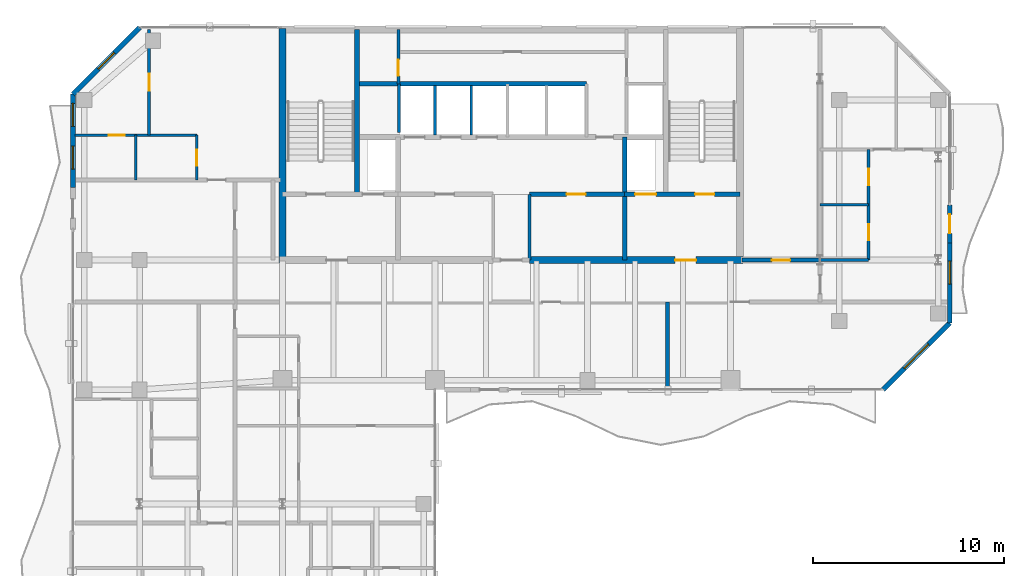
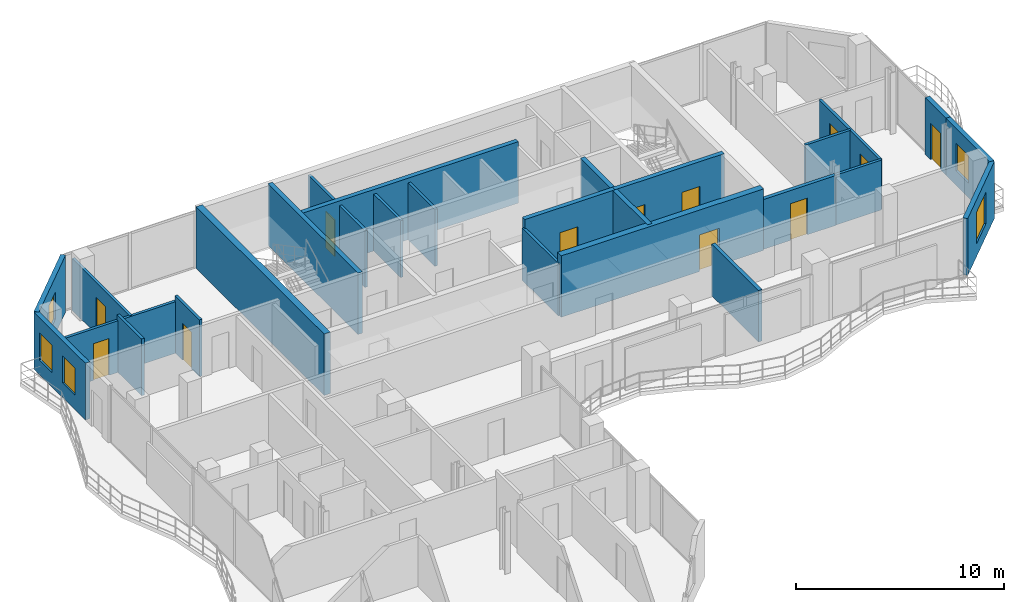
# One storey, part 19 of 23: 26 walls, 12 doors, 5 windows, 17 openings.
"""IFC4 building model written with IfcOpenShell, lengths in metres."""

from ifc_helpers import new_model, si_unit, direction, frame, frame_2d, origin, place, context, subcontext, project, spatial, rectangle, extrude, material, layer, layer_set, type_object, element, fill, save


model = new_model("IFC4")

# Units and contexts
model_context = context("Model", 3, precision=1e-05, world=origin(), true_north=direction((0.0, 1.0)))
body_context = subcontext(model_context, "Body", "Model", "MODEL_VIEW")
ifc_project = project(units=[si_unit("LENGTHUNIT", "METRE"), si_unit("AREAUNIT", "SQUARE_METRE"), si_unit("VOLUMEUNIT", "CUBIC_METRE"), si_unit("PLANEANGLEUNIT", "RADIAN"), si_unit("MASSUNIT", "GRAM", prefix="KILO")], contexts=[model_context])

# Site, building, storey
site_placement = place(None, origin())
site = spatial("IfcSite", under=ifc_project, at=site_placement, CompositionType="ELEMENT")
building_placement = place(site_placement, origin())
building = spatial("IfcBuilding", under=site, at=building_placement, Name="Catumbela Crestline Tower", CompositionType="ELEMENT")
storey_placement = place(building_placement, frame((0.0, 0.0, 172.2)))
storey = spatial("IfcBuildingStorey", under=building, at=storey_placement, Name="L44", CompositionType="ELEMENT", Elevation=172.2)

# Walls
ifc_material_1 = material(Name="Concrete C50/60", Category="concrete")
ifc_layer_1 = layer(ifc_material_1, 0.25, Name="Concrete C50/60")
ifc_layer_set_1 = layer_set([ifc_layer_1], Name="Concrete C50/60")
wall_type_1 = type_object("IfcWallType", Name="CW-250D", PredefinedType="SHEAR", material=ifc_layer_set_1)
wall_1_placement = place(storey_placement, frame((19.9, 34.25, 0.0), z_axis=(0.0, 0.0, 1.0), x_axis=(0.0, 1.0, 0.0)))
element("IfcWall", 1, at=wall_1_placement, inside=storey, type_object=wall_type_1, Name="L44 Structural Core Shear Wall WWEB", PredefinedType="SHEAR", context=body_context, shape_type="SweptSolid", body=[
    extrude(rectangle(XDim=8.65, YDim=0.25, at=frame_2d((4.325, 0.0))), origin(), (0.0, 0.0, 1.0), 3.6),
])
wall_2_placement = place(storey_placement, frame((33.95, 30.8, 0.0), z_axis=(0.0, 0.0, 1.0), x_axis=(0.0, 1.0, 0.0)))
element("IfcWall", 2, at=wall_2_placement, inside=storey, type_object=wall_type_1, Name="L44 Structural Core Shear Wall FFE", PredefinedType="SHEAR", context=body_context, shape_type="SweptSolid", body=[
    extrude(rectangle(XDim=6.45, YDim=0.25, at=frame_2d((3.225, 0.0))), origin(), (0.0, 0.0, 1.0), 3.6),
])

# Wall, openings, doors
wall_3_placement = place(storey_placement, frame((33.95, 34.25, 0.0), z_axis=(0.0, 0.0, 1.0), x_axis=(1.0, 0.0, 0.0)))
wall_3 = element("IfcWall", 3, at=wall_3_placement, inside=storey, type_object=wall_type_1, Name="L44 Structural Core Shear Wall ST2S", PredefinedType="SHEAR", context=body_context, shape_type="SweptSolid", body=[
    extrude(rectangle(XDim=6.05, YDim=0.25, at=frame_2d((3.025, 0.0))), origin(), (0.0, 0.0, 1.0), 3.6),
])
opening_1_placement = place(wall_3_placement, frame((3.7, 0.0, 0.0)))
opening_1 = element("IfcOpeningElement", 4, at=opening_1_placement, cuts=wall_3, Name="Opening DF9-100", PredefinedType="OPENING", context=body_context, shape_type="SweptSolid", body=[
    extrude(rectangle(XDim=1.0, YDim=2.15, at=frame_2d((0.5, 1.075))), frame((0.0, 0.135, 0.0), z_axis=(0.0, -1.0, 0.0), x_axis=(1.0, 0.0, 0.0)), (0.0, 0.0, 1.0), 0.27),
])
opening_2_placement = place(wall_3_placement, frame((0.55, 0.0, 0.0)))
opening_2 = element("IfcOpeningElement", 5, at=opening_2_placement, cuts=wall_3, Name="Opening LD-110", PredefinedType="OPENING", context=body_context, shape_type="SweptSolid", body=[
    extrude(rectangle(XDim=1.1, YDim=2.15, at=frame_2d((0.55, 1.075))), frame((0.0, 0.135, 0.0), z_axis=(0.0, -1.0, 0.0), x_axis=(1.0, 0.0, 0.0)), (0.0, 0.0, 1.0), 0.27),
])
ifc_material_2 = material(Name="Stainless steel EN 1.4401", Category="steel")
door_type_1 = type_object("IfcDoorType", Name="DF9-100", OperationType="NOTDEFINED", PredefinedType="DOOR", material=ifc_material_2)
door_1_placement = place(opening_1_placement, origin())
door_1 = element("IfcDoor", 6, at=door_1_placement, inside=storey, type_object=door_type_1, Name="L44 Interior Door DR-L44-ST02", OperationType="SINGLE_SWING_RIGHT", OverallHeight=2.15, OverallWidth=1.0, PredefinedType="DOOR", context=body_context, shape_type="SweptSolid", body=[
    extrude(rectangle(XDim=1.0, YDim=2.15, at=frame_2d((0.5, 1.075))), frame((0.0, 0.025, 0.0), z_axis=(0.0, -1.0, 0.0), x_axis=(1.0, 0.0, 0.0)), (0.0, 0.0, 1.0), 0.05),
])
fill(opening_1, door_1)
door_type_2 = type_object("IfcDoorType", Name="LD-110", OperationType="NOTDEFINED", PredefinedType="DOOR", material=ifc_material_2)
door_2_placement = place(opening_2_placement, origin())
door_2 = element("IfcDoor", 7, at=door_2_placement, inside=storey, type_object=door_type_2, Name="L44 Lift Landing Sliding Door FL-02", OperationType="DOUBLE_DOOR_SLIDING", OverallHeight=2.15, OverallWidth=1.1, PredefinedType="DOOR", context=body_context, shape_type="SweptSolid", body=[
    extrude(rectangle(XDim=1.1, YDim=2.15, at=frame_2d((0.55, 1.075))), frame((0.0, 0.025, 0.0), z_axis=(0.0, -1.0, 0.0), x_axis=(1.0, 0.0, 0.0)), (0.0, 0.0, 1.0), 0.05),
])
fill(opening_2, door_2)

# Wall, opening, door
wall_4_placement = place(storey_placement, frame((28.95, 34.25, 0.0), z_axis=(0.0, 0.0, 1.0), x_axis=(1.0, 0.0, 0.0)))
wall_4 = element("IfcWall", 8, at=wall_4_placement, inside=storey, type_object=wall_type_1, Name="L44 Structural Core Shear Wall LIFTS-E", PredefinedType="SHEAR", context=body_context, shape_type="SweptSolid", body=[
    extrude(rectangle(XDim=5.0, YDim=0.25, at=frame_2d((2.5, 0.0))), origin(), (0.0, 0.0, 1.0), 3.6),
])
opening_3_placement = place(wall_4_placement, frame((1.95, 0.0, 0.0)))
opening_3 = element("IfcOpeningElement", 9, at=opening_3_placement, cuts=wall_4, Name="Opening DF9-100", PredefinedType="OPENING", context=body_context, shape_type="SweptSolid", body=[
    extrude(rectangle(XDim=1.0, YDim=2.15, at=frame_2d((0.5, 1.075))), frame((0.0, 0.135, 0.0), z_axis=(0.0, -1.0, 0.0), x_axis=(1.0, 0.0, 0.0)), (0.0, 0.0, 1.0), 0.27),
])
door_3_placement = place(opening_3_placement, origin())
door_3 = element("IfcDoor", 10, at=door_3_placement, inside=storey, type_object=door_type_1, Name="L44 Interior Door DR-L44-RECL2", OperationType="SINGLE_SWING_RIGHT", OverallHeight=2.15, OverallWidth=1.0, PredefinedType="DOOR", context=body_context, shape_type="SweptSolid", body=[
    extrude(rectangle(XDim=1.0, YDim=2.15, at=frame_2d((0.5, 1.075))), frame((0.0, 0.025, 0.0), z_axis=(0.0, -1.0, 0.0), x_axis=(1.0, 0.0, 0.0)), (0.0, 0.0, 1.0), 0.05),
])
fill(opening_3, door_3)

# Walls
wall_5_placement = place(storey_placement, frame((19.9, 40.05, 0.0), z_axis=(0.0, 0.0, 1.0), x_axis=(1.0, 0.0, 0.0)))
element("IfcWall", 11, at=wall_5_placement, inside=storey, type_object=wall_type_1, Name="L44 Structural Core Shear Wall COREN", PredefinedType="SHEAR", context=body_context, shape_type="SweptSolid", body=[
    extrude(rectangle(XDim=12.05, YDim=0.25, at=frame_2d((6.025, 0.0))), origin(), (0.0, 0.0, 1.0), 3.6),
])
ifc_layer_2 = layer(ifc_material_1, 0.35, Name="Concrete C50/60")
ifc_layer_set_2 = layer_set([ifc_layer_2], Name="Concrete C50/60")
wall_type_2 = type_object("IfcWallType", Name="CW-350B", PredefinedType="SHEAR", material=ifc_layer_set_2)
wall_6_placement = place(storey_placement, frame((16.0, 30.65, 0.0), z_axis=(0.0, 0.0, 1.0), x_axis=(0.0, 1.0, 0.0)))
element("IfcWall", 12, at=wall_6_placement, inside=storey, type_object=wall_type_2, Name="L44 Structural Core Shear Wall W", PredefinedType="SHEAR", context=body_context, shape_type="SweptSolid", body=[
    extrude(rectangle(XDim=12.3, YDim=0.35, at=frame_2d((6.15, 0.0))), origin(), (0.0, 0.0, 1.0), 3.6),
])

# Wall, opening, door
wall_7_placement = place(storey_placement, frame((28.95, 30.8, 0.0), z_axis=(0.0, 0.0, 1.0), x_axis=(1.0, 0.0, 0.0)))
wall_7 = element("IfcWall", 13, at=wall_7_placement, inside=storey, type_object=wall_type_2, Name="L44 Structural Core Shear Wall SE", PredefinedType="SHEAR", context=body_context, shape_type="SweptSolid", body=[
    extrude(rectangle(XDim=11.2, YDim=0.35, at=frame_2d((5.6, 0.0))), origin(), (0.0, 0.0, 1.0), 3.6),
])
opening_4_placement = place(wall_7_placement, frame((7.65, 0.0, 0.0)))
opening_4 = element("IfcOpeningElement", 14, at=opening_4_placement, cuts=wall_7, Name="Opening DF9-110", PredefinedType="OPENING", context=body_context, shape_type="SweptSolid", body=[
    extrude(rectangle(XDim=1.1, YDim=2.15, at=frame_2d((0.55, 1.075))), frame((0.0, 0.185, 0.0), z_axis=(0.0, -1.0, 0.0), x_axis=(1.0, 0.0, 0.0)), (0.0, 0.0, 1.0), 0.37),
])
door_type_3 = type_object("IfcDoorType", Name="DF9-110", OperationType="NOTDEFINED", PredefinedType="DOOR", material=ifc_material_2)
door_4_placement = place(opening_4_placement, origin())
door_4 = element("IfcDoor", 15, at=door_4_placement, inside=storey, type_object=door_type_3, Name="L44 Interior Door DR-L44-FFE-S", OperationType="SINGLE_SWING_RIGHT", OverallHeight=2.15, OverallWidth=1.1, PredefinedType="DOOR", context=body_context, shape_type="SweptSolid", body=[
    extrude(rectangle(XDim=1.1, YDim=2.15, at=frame_2d((0.55, 1.075))), frame((0.0, 0.025, 0.0), z_axis=(0.0, -1.0, 0.0), x_axis=(1.0, 0.0, 0.0)), (0.0, 0.0, 1.0), 0.05),
])
fill(opening_4, door_4)

ifc_material_3 = material(Name="Acoustic gypsum and mineral-wool partition")
ifc_layer_3 = layer(ifc_material_3, 0.2, Name="Acoustic gypsum and mineral-wool partition")
ifc_layer_set_3 = layer_set([ifc_layer_3], Name="Acoustic gypsum and mineral-wool partition")
wall_type_3 = type_object("IfcWallType", Name="WC-200", PredefinedType="PARTITIONING", material=ifc_layer_set_3)
wall_8_placement = place(storey_placement, frame((40.1, 30.8, 0.0), z_axis=(0.0, 0.0, 1.0), x_axis=(1.0, 0.0, 0.0)))
wall_8 = element("IfcWall", 16, at=wall_8_placement, inside=storey, type_object=wall_type_3, Name="L44 Interior Partition PW-L44-NERM-ENT", PredefinedType="PARTITIONING", context=body_context, shape_type="SweptSolid", body=[
    extrude(rectangle(XDim=4.1, YDim=0.2, at=frame_2d((2.05, 0.0))), origin(), (0.0, 0.0, 1.0), 2.92),
])
opening_5_placement = place(wall_8_placement, frame((1.575, 0.0, 0.0)))
opening_5 = element("IfcOpeningElement", 17, at=opening_5_placement, cuts=wall_8, Name="Opening DF6-095", PredefinedType="OPENING", context=body_context, shape_type="SweptSolid", body=[
    extrude(rectangle(XDim=0.95, YDim=2.15, at=frame_2d((0.475, 1.075))), frame((0.0, 0.11, 0.0), z_axis=(0.0, -1.0, 0.0), x_axis=(1.0, 0.0, 0.0)), (0.0, 0.0, 1.0), 0.22),
])
ifc_material_4 = material(Name="Aluminium alloy AW-6060-T66", Category="aluminium")
door_type_4 = type_object("IfcDoorType", Name="DF6-095", OperationType="NOTDEFINED", PredefinedType="DOOR", material=ifc_material_4)
door_5_placement = place(opening_5_placement, origin())
door_5 = element("IfcDoor", 18, at=door_5_placement, inside=storey, type_object=door_type_4, Name="L44 Interior Door DR-L44-NERM-ENT", OperationType="SINGLE_SWING_LEFT", OverallHeight=2.15, OverallWidth=0.95, PredefinedType="DOOR", context=body_context, shape_type="SweptSolid", body=[
    extrude(rectangle(XDim=0.95, YDim=2.15, at=frame_2d((0.475, 1.075))), frame((0.0, 0.025, 0.0), z_axis=(0.0, -1.0, 0.0), x_axis=(1.0, 0.0, 0.0)), (0.0, 0.0, 1.0), 0.05),
])
fill(opening_5, door_5)

# Wall, opening, window
ifc_material_5 = material(Name="Angolan grey-ochre granite", Category="masonry")
ifc_layer_4 = layer(ifc_material_5, 0.25, Name="Angolan grey-ochre granite")
ifc_layer_set_4 = layer_set([ifc_layer_4], Name="Angolan grey-ochre granite")
wall_type_4 = type_object("IfcWallType", Name="WE-250", PredefinedType="STANDARD", material=ifc_layer_set_4)
wall_9_placement = place(storey_placement, frame((47.5, 24.0, 0.0), z_axis=(0.0, 0.0, 1.0), x_axis=(0.707106781187, 0.707106781187, 0.0)))
wall_9 = element("IfcWall", 19, at=wall_9_placement, inside=storey, type_object=wall_type_4, Name="L44 Granite Punched Window Wall 4-1", PredefinedType="STANDARD", context=body_context, shape_type="SweptSolid", body=[
    extrude(rectangle(XDim=4.9497, YDim=0.25, at=frame_2d((2.4748, 0.0))), origin(), (0.0, 0.0, 1.0), 3.33),
])
opening_6_placement = place(wall_9_placement, frame((1.5749, 0.0, 0.75)))
opening_6 = element("IfcOpeningElement", 20, at=opening_6_placement, cuts=wall_9, Name="Opening WN-01", PredefinedType="OPENING", context=body_context, shape_type="SweptSolid", body=[
    extrude(rectangle(XDim=1.8, YDim=1.85, at=frame_2d((0.9, 0.925))), frame((0.0, 0.135, 0.0), z_axis=(0.0, -1.0, 0.0), x_axis=(1.0, 0.0, 0.0)), (0.0, 0.0, 1.0), 0.27),
])
ifc_material_6 = material(Name="Low-E laminated solar-control double glazing", Category="glass")
window_type_1 = type_object("IfcWindowType", Name="WF-1800", PartitioningType="SINGLE_PANEL", PredefinedType="WINDOW", material=ifc_material_6)
window_1_placement = place(opening_6_placement, origin())
window_1 = element("IfcWindow", 21, at=window_1_placement, inside=storey, type_object=window_type_1, Name="L44 Facade Vision Window 267", OverallHeight=1.85, OverallWidth=1.8, PartitioningType="SINGLE_PANEL", PredefinedType="WINDOW", context=body_context, shape_type="SweptSolid", body=[
    extrude(rectangle(XDim=1.8, YDim=1.85, at=frame_2d((0.9, 0.925))), frame((0.0, 0.03, 0.0), z_axis=(0.0, -1.0, 0.0), x_axis=(1.0, 0.0, 0.0)), (0.0, 0.0, 1.0), 0.06),
])
fill(opening_6, window_1)

# Wall, opening, door
wall_10_placement = place(storey_placement, frame((51.0, 31.7, 0.0), z_axis=(0.0, 0.0, 1.0), x_axis=(0.0, 1.0, 0.0)))
wall_10 = element("IfcWall", 22, at=wall_10_placement, inside=storey, type_object=wall_type_4, Name="L44 Exterior Threshold Portal Wall DR-L44-WBAL-2", PredefinedType="STANDARD", context=body_context, shape_type="SweptSolid", body=[
    extrude(rectangle(XDim=2.0, YDim=0.25, at=frame_2d((1.0, 0.0))), origin(), (0.0, 0.0, 1.0), 3.33),
])
opening_7_placement = place(wall_10_placement, frame((0.5, 0.0, 0.0)))
opening_7 = element("IfcOpeningElement", 23, at=opening_7_placement, cuts=wall_10, Name="Opening DB-L44-2", PredefinedType="OPENING", context=body_context, shape_type="SweptSolid", body=[
    extrude(rectangle(XDim=1.0, YDim=2.15, at=frame_2d((0.5, 1.075))), frame((0.0, 0.135, 0.0), z_axis=(0.0, -1.0, 0.0), x_axis=(1.0, 0.0, 0.0)), (0.0, 0.0, 1.0), 0.27),
])
door_type_5 = type_object("IfcDoorType", Name="DB-1000", OperationType="NOTDEFINED", PredefinedType="DOOR", material=ifc_material_4)
door_6_placement = place(opening_7_placement, origin())
door_6 = element("IfcDoor", 24, at=door_6_placement, inside=storey, type_object=door_type_5, Name="L44 Wave Balcony Terrace Door 2", OperationType="SINGLE_SWING_LEFT", OverallHeight=2.15, OverallWidth=1.0, PredefinedType="DOOR", context=body_context, shape_type="SweptSolid", body=[
    extrude(rectangle(XDim=1.0, YDim=2.15, at=frame_2d((0.5, 1.075))), frame((0.0, 0.025, 0.0), z_axis=(0.0, -1.0, 0.0), x_axis=(1.0, 0.0, 0.0)), (0.0, 0.0, 1.0), 0.05),
])
fill(opening_7, door_6)

# Wall, opening, window
wall_11_placement = place(storey_placement, frame((51.0, 27.5, 0.0), z_axis=(0.0, 0.0, 1.0), x_axis=(0.0, 1.0, 0.0)))
wall_11 = element("IfcWall", 25, at=wall_11_placement, inside=storey, type_object=wall_type_4, Name="L44 Granite Punched Window Wall 5-1", PredefinedType="STANDARD", context=body_context, shape_type="SweptSolid", body=[
    extrude(rectangle(XDim=4.2, YDim=0.25, at=frame_2d((2.1, 0.0))), origin(), (0.0, 0.0, 1.0), 3.33),
])
opening_8_placement = place(wall_11_placement, frame((2.04, 0.0, 0.85)))
opening_8 = element("IfcOpeningElement", 26, at=opening_8_placement, cuts=wall_11, Name="Opening WN-02", PredefinedType="OPENING", context=body_context, shape_type="SweptSolid", body=[
    extrude(rectangle(XDim=1.2, YDim=1.6, at=frame_2d((0.6, 0.8))), frame((0.0, 0.135, 0.0), z_axis=(0.0, -1.0, 0.0), x_axis=(1.0, 0.0, 0.0)), (0.0, 0.0, 1.0), 0.27),
])
window_type_2 = type_object("IfcWindowType", Name="WO-1200", PartitioningType="SINGLE_PANEL", PredefinedType="WINDOW", material=ifc_material_6)
window_2_placement = place(opening_8_placement, origin())
window_2 = element("IfcWindow", 27, at=window_2_placement, inside=storey, type_object=window_type_2, Name="L44 Facade Vision Window 268", OverallHeight=1.6, OverallWidth=1.2, PartitioningType="SINGLE_PANEL", PredefinedType="WINDOW", context=body_context, shape_type="SweptSolid", body=[
    extrude(rectangle(XDim=1.2, YDim=1.6, at=frame_2d((0.6, 0.8))), frame((0.0, 0.03, 0.0), z_axis=(0.0, -1.0, 0.0), x_axis=(1.0, 0.0, 0.0)), (0.0, 0.0, 1.0), 0.06),
])
fill(opening_8, window_2)

wall_12_placement = place(storey_placement, frame((8.5, 43.0, 0.0), z_axis=(0.0, 0.0, 1.0), x_axis=(-0.707106781187, -0.707106781187, 0.0)))
wall_12 = element("IfcWall", 28, at=wall_12_placement, inside=storey, type_object=wall_type_4, Name="L44 Granite Punched Window Wall 8-1", PredefinedType="STANDARD", context=body_context, shape_type="SweptSolid", body=[
    extrude(rectangle(XDim=4.9497, YDim=0.25, at=frame_2d((2.4748, 0.0))), origin(), (0.0, 0.0, 1.0), 3.33),
])
opening_9_placement = place(wall_12_placement, frame((1.8748, 0.0, 0.85)))
opening_9 = element("IfcOpeningElement", 29, at=opening_9_placement, cuts=wall_12, Name="Opening WN-02", PredefinedType="OPENING", context=body_context, shape_type="SweptSolid", body=[
    extrude(rectangle(XDim=1.2, YDim=1.6, at=frame_2d((0.6, 0.8))), frame((0.0, 0.135, 0.0), z_axis=(0.0, -1.0, 0.0), x_axis=(1.0, 0.0, 0.0)), (0.0, 0.0, 1.0), 0.27),
])
window_3_placement = place(opening_9_placement, origin())
window_3 = element("IfcWindow", 30, at=window_3_placement, inside=storey, type_object=window_type_2, Name="L44 Facade Vision Window 270", OverallHeight=1.6, OverallWidth=1.2, PartitioningType="SINGLE_PANEL", PredefinedType="WINDOW", context=body_context, shape_type="SweptSolid", body=[
    extrude(rectangle(XDim=1.2, YDim=1.6, at=frame_2d((0.6, 0.8))), frame((0.0, 0.03, 0.0), z_axis=(0.0, -1.0, 0.0), x_axis=(1.0, 0.0, 0.0)), (0.0, 0.0, 1.0), 0.06),
])
fill(opening_9, window_3)

# Wall, openings, windows
wall_13_placement = place(storey_placement, frame((5.0, 39.5, 0.0), z_axis=(0.0, 0.0, 1.0), x_axis=(0.0, -1.0, 0.0)))
wall_13 = element("IfcWall", 31, at=wall_13_placement, inside=storey, type_object=wall_type_4, Name="L44 Granite Punched Window Wall 9-1", PredefinedType="STANDARD", context=body_context, shape_type="SweptSolid", body=[
    extrude(rectangle(XDim=4.9, YDim=0.25, at=frame_2d((2.45, 0.0))), origin(), (0.0, 0.0, 1.0), 3.33),
])
opening_10_placement = place(wall_13_placement, frame((0.485, 0.0, 0.85)))
opening_10 = element("IfcOpeningElement", 32, at=opening_10_placement, cuts=wall_13, Name="Opening WN-02", PredefinedType="OPENING", context=body_context, shape_type="SweptSolid", body=[
    extrude(rectangle(XDim=1.2, YDim=1.6, at=frame_2d((0.6, 0.8))), frame((0.0, 0.135, 0.0), z_axis=(0.0, -1.0, 0.0), x_axis=(1.0, 0.0, 0.0)), (0.0, 0.0, 1.0), 0.27),
])
opening_11_placement = place(wall_13_placement, frame((2.725, 0.0, 0.85)))
opening_11 = element("IfcOpeningElement", 33, at=opening_11_placement, cuts=wall_13, Name="Opening WN-02", PredefinedType="OPENING", context=body_context, shape_type="SweptSolid", body=[
    extrude(rectangle(XDim=1.2, YDim=1.6, at=frame_2d((0.6, 0.8))), frame((0.0, 0.135, 0.0), z_axis=(0.0, -1.0, 0.0), x_axis=(1.0, 0.0, 0.0)), (0.0, 0.0, 1.0), 0.27),
])
window_4_placement = place(opening_10_placement, origin())
window_4 = element("IfcWindow", 34, at=window_4_placement, inside=storey, type_object=window_type_2, Name="L44 Facade Vision Window 271", OverallHeight=1.6, OverallWidth=1.2, PartitioningType="SINGLE_PANEL", PredefinedType="WINDOW", context=body_context, shape_type="SweptSolid", body=[
    extrude(rectangle(XDim=1.2, YDim=1.6, at=frame_2d((0.6, 0.8))), frame((0.0, 0.03, 0.0), z_axis=(0.0, -1.0, 0.0), x_axis=(1.0, 0.0, 0.0)), (0.0, 0.0, 1.0), 0.06),
])
fill(opening_10, window_4)
window_5_placement = place(opening_11_placement, origin())
window_5 = element("IfcWindow", 35, at=window_5_placement, inside=storey, type_object=window_type_2, Name="L44 Facade Vision Window 272", OverallHeight=1.6, OverallWidth=1.2, PartitioningType="SINGLE_PANEL", PredefinedType="WINDOW", context=body_context, shape_type="SweptSolid", body=[
    extrude(rectangle(XDim=1.2, YDim=1.6, at=frame_2d((0.6, 0.8))), frame((0.0, 0.03, 0.0), z_axis=(0.0, -1.0, 0.0), x_axis=(1.0, 0.0, 0.0)), (0.0, 0.0, 1.0), 0.06),
])
fill(opening_11, window_5)

# Wall, opening, door
ifc_layer_5 = layer(ifc_material_3, 0.15, Name="Acoustic gypsum and mineral-wool partition")
ifc_layer_set_5 = layer_set([ifc_layer_5], Name="Acoustic gypsum and mineral-wool partition")
wall_type_5 = type_object("IfcWallType", Name="WP-150", PredefinedType="PARTITIONING", material=ifc_layer_set_5)
wall_14_placement = place(storey_placement, frame((22.08, 40.05, 0.0), z_axis=(0.0, 0.0, 1.0), x_axis=(0.0, 1.0, 0.0)))
wall_14 = element("IfcWall", 36, at=wall_14_placement, inside=storey, type_object=wall_type_5, Name="L44 Interior Partition PW-L44-CR-WCW", PredefinedType="PARTITIONING", context=body_context, shape_type="SweptSolid", body=[
    extrude(rectangle(XDim=2.85, YDim=0.15, at=frame_2d((1.425, 0.0))), origin(), (0.0, 0.0, 1.0), 3.33),
])
opening_12_placement = place(wall_14_placement, frame((0.41, 0.0, 0.0)))
opening_12 = element("IfcOpeningElement", 37, at=opening_12_placement, cuts=wall_14, Name="Opening DI-085", PredefinedType="OPENING", context=body_context, shape_type="SweptSolid", body=[
    extrude(rectangle(XDim=0.85, YDim=2.15, at=frame_2d((0.425, 1.075))), frame((0.0, 0.085, 0.0), z_axis=(0.0, -1.0, 0.0), x_axis=(1.0, 0.0, 0.0)), (0.0, 0.0, 1.0), 0.17),
])
door_type_6 = type_object("IfcDoorType", Name="DI-085", OperationType="NOTDEFINED", PredefinedType="DOOR", material=ifc_material_4)
door_7_placement = place(opening_12_placement, origin())
door_7 = element("IfcDoor", 38, at=door_7_placement, inside=storey, type_object=door_type_6, Name="L44 Interior Door DR-L44-CRWC", OperationType="SINGLE_SWING_LEFT", OverallHeight=2.15, OverallWidth=0.85, PredefinedType="DOOR", context=body_context, shape_type="SweptSolid", body=[
    extrude(rectangle(XDim=0.85, YDim=2.15, at=frame_2d((0.425, 1.075))), frame((0.0, 0.025, 0.0), z_axis=(0.0, -1.0, 0.0), x_axis=(1.0, 0.0, 0.0)), (0.0, 0.0, 1.0), 0.05),
])
fill(opening_12, door_7)

wall_15_placement = place(storey_placement, frame((11.5, 35.0, 0.0), z_axis=(0.0, 0.0, 1.0), x_axis=(0.0, 1.0, 0.0)))
wall_15 = element("IfcWall", 39, at=wall_15_placement, inside=storey, type_object=wall_type_5, Name="L44 Interior Partition PW-L44-NW1-KBE", PredefinedType="PARTITIONING", context=body_context, shape_type="SweptSolid", body=[
    extrude(rectangle(XDim=2.35, YDim=0.15, at=frame_2d((1.175, 0.0))), origin(), (0.0, 0.0, 1.0), 3.33),
])
opening_13_placement = place(wall_15_placement, frame((0.75, 0.0, 0.0)))
opening_13 = element("IfcOpeningElement", 40, at=opening_13_placement, cuts=wall_15, Name="Opening DI-085", PredefinedType="OPENING", context=body_context, shape_type="SweptSolid", body=[
    extrude(rectangle(XDim=0.85, YDim=2.15, at=frame_2d((0.425, 1.075))), frame((0.0, 0.085, 0.0), z_axis=(0.0, -1.0, 0.0), x_axis=(1.0, 0.0, 0.0)), (0.0, 0.0, 1.0), 0.17),
])
door_8_placement = place(opening_13_placement, origin())
door_8 = element("IfcDoor", 41, at=door_8_placement, inside=storey, type_object=door_type_6, Name="L44 Interior Door DR-L44-NW1-BTH", OperationType="SINGLE_SWING_LEFT", OverallHeight=2.15, OverallWidth=0.85, PredefinedType="DOOR", context=body_context, shape_type="SweptSolid", body=[
    extrude(rectangle(XDim=0.85, YDim=2.15, at=frame_2d((0.425, 1.075))), frame((0.0, 0.025, 0.0), z_axis=(0.0, -1.0, 0.0), x_axis=(1.0, 0.0, 0.0)), (0.0, 0.0, 1.0), 0.05),
])
fill(opening_13, door_8)

# Wall
wall_16_placement = place(storey_placement, frame((8.3, 35.0, 0.0), z_axis=(0.0, 0.0, 1.0), x_axis=(0.0, 1.0, 0.0)))
element("IfcWall", 42, at=wall_16_placement, inside=storey, type_object=wall_type_5, Name="L44 Interior Partition PW-L44-NW1-KBM", PredefinedType="PARTITIONING", context=body_context, shape_type="SweptSolid", body=[
    extrude(rectangle(XDim=2.35, YDim=0.15, at=frame_2d((1.175, 0.0))), origin(), (0.0, 0.0, 1.0), 3.33),
])

# Wall, opening, door
wall_17_placement = place(storey_placement, frame((5.1, 37.35, 0.0), z_axis=(0.0, 0.0, 1.0), x_axis=(1.0, 0.0, 0.0)))
wall_17 = element("IfcWall", 43, at=wall_17_placement, inside=storey, type_object=wall_type_5, Name="L44 Interior Partition PW-L44-NW1-KBD1", PredefinedType="PARTITIONING", context=body_context, shape_type="SweptSolid", body=[
    extrude(rectangle(XDim=6.4, YDim=0.15, at=frame_2d((3.2, 0.0))), origin(), (0.0, 0.0, 1.0), 3.02),
])
opening_14_placement = place(wall_17_placement, frame((1.7795, 0.0, 0.0)))
opening_14 = element("IfcOpeningElement", 44, at=opening_14_placement, cuts=wall_17, Name="Opening DI-085", PredefinedType="OPENING", context=body_context, shape_type="SweptSolid", body=[
    extrude(rectangle(XDim=0.85, YDim=2.15, at=frame_2d((0.425, 1.075))), frame((0.0, 0.085, 0.0), z_axis=(0.0, -1.0, 0.0), x_axis=(1.0, 0.0, 0.0)), (0.0, 0.0, 1.0), 0.17),
])
door_9_placement = place(opening_14_placement, origin())
door_9 = element("IfcDoor", 45, at=door_9_placement, inside=storey, type_object=door_type_6, Name="L44 Interior Door DR-L44-NW1-KIT", OperationType="SINGLE_SWING_LEFT", OverallHeight=2.15, OverallWidth=0.85, PredefinedType="DOOR", context=body_context, shape_type="SweptSolid", body=[
    extrude(rectangle(XDim=0.85, YDim=2.15, at=frame_2d((0.425, 1.075))), frame((0.0, 0.025, 0.0), z_axis=(0.0, -1.0, 0.0), x_axis=(1.0, 0.0, 0.0)), (0.0, 0.0, 1.0), 0.05),
])
fill(opening_14, door_9)

wall_18_placement = place(storey_placement, frame((9.0, 37.35, 0.0), z_axis=(0.0, 0.0, 1.0), x_axis=(0.0, 1.0, 0.0)))
wall_18 = element("IfcWall", 46, at=wall_18_placement, inside=storey, type_object=wall_type_5, Name="L44 Interior Partition PW-L44-NW1-BD1W", PredefinedType="PARTITIONING", context=body_context, shape_type="SweptSolid", body=[
    extrude(rectangle(XDim=5.55, YDim=0.15, at=frame_2d((2.775, 0.0))), origin(), (0.0, 0.0, 1.0), 3.02),
])
opening_15_placement = place(wall_18_placement, frame((2.325, 0.0, 0.0)))
opening_15 = element("IfcOpeningElement", 47, at=opening_15_placement, cuts=wall_18, Name="Opening DI-090", PredefinedType="OPENING", context=body_context, shape_type="SweptSolid", body=[
    extrude(rectangle(XDim=0.9, YDim=2.15, at=frame_2d((0.45, 1.075))), frame((0.0, 0.085, 0.0), z_axis=(0.0, -1.0, 0.0), x_axis=(1.0, 0.0, 0.0)), (0.0, 0.0, 1.0), 0.17),
])
door_type_7 = type_object("IfcDoorType", Name="DI-090", OperationType="NOTDEFINED", PredefinedType="DOOR", material=ifc_material_4)
door_10_placement = place(opening_15_placement, origin())
door_10 = element("IfcDoor", 48, at=door_10_placement, inside=storey, type_object=door_type_7, Name="L44 Interior Door DR-L44-NW1-BD1", OperationType="SINGLE_SWING_LEFT", OverallHeight=2.15, OverallWidth=0.9, PredefinedType="DOOR", context=body_context, shape_type="SweptSolid", body=[
    extrude(rectangle(XDim=0.9, YDim=2.15, at=frame_2d((0.45, 1.075))), frame((0.0, 0.025, 0.0), z_axis=(0.0, -1.0, 0.0), x_axis=(1.0, 0.0, 0.0)), (0.0, 0.0, 1.0), 0.05),
])
fill(opening_15, door_10)

# Walls
for number, where, z_axis, x_axis, name in (
    (49, (44.2, 30.8, 0.0), (0.0, 0.0, 1.0), (1.0, 0.0, 0.0), "L44 Interior Partition PW-L44-NE1-KBS"),
    (50, (44.2, 33.704, 0.0), (0.0, 0.0, 1.0), (1.0, 0.0, 0.0), "L44 Interior Partition PW-L44-NE1-KBM"),
):
    element("IfcWall", number, at=place(storey_placement, frame(where, z_axis=z_axis, x_axis=x_axis)), inside=storey, type_object=wall_type_5, Name=name, PredefinedType="PARTITIONING", context=body_context, shape_type="SweptSolid", body=[
        extrude(rectangle(XDim=2.546, YDim=0.15, at=frame_2d((1.273, 0.0))), origin(), (0.0, 0.0, 1.0), 2.92),
    ])

# Wall, openings, doors
wall_19_placement = place(storey_placement, frame((46.746, 30.8, 0.0), z_axis=(0.0, 0.0, 1.0), x_axis=(0.0, 1.0, 0.0)))
wall_19 = element("IfcWall", 51, at=wall_19_placement, inside=storey, type_object=wall_type_5, Name="L44 Interior Partition PW-L44-NE1-LK", PredefinedType="PARTITIONING", context=body_context, shape_type="SweptSolid", body=[
    extrude(rectangle(XDim=5.808, YDim=0.15, at=frame_2d((2.904, 0.0))), origin(), (0.0, 0.0, 1.0), 2.92),
])
opening_16_placement = place(wall_19_placement, frame((1.027, 0.0, 0.0)))
opening_16 = element("IfcOpeningElement", 52, at=opening_16_placement, cuts=wall_19, Name="Opening DI-085", PredefinedType="OPENING", context=body_context, shape_type="SweptSolid", body=[
    extrude(rectangle(XDim=0.85, YDim=2.15, at=frame_2d((0.425, 1.075))), frame((0.0, 0.085, 0.0), z_axis=(0.0, -1.0, 0.0), x_axis=(1.0, 0.0, 0.0)), (0.0, 0.0, 1.0), 0.17),
])
opening_17_placement = place(wall_19_placement, frame((3.931, 0.0, 0.0)))
opening_17 = element("IfcOpeningElement", 53, at=opening_17_placement, cuts=wall_19, Name="Opening DI-085", PredefinedType="OPENING", context=body_context, shape_type="SweptSolid", body=[
    extrude(rectangle(XDim=0.85, YDim=2.15, at=frame_2d((0.425, 1.075))), frame((0.0, 0.085, 0.0), z_axis=(0.0, -1.0, 0.0), x_axis=(1.0, 0.0, 0.0)), (0.0, 0.0, 1.0), 0.17),
])
door_11_placement = place(opening_16_placement, origin())
door_11 = element("IfcDoor", 54, at=door_11_placement, inside=storey, type_object=door_type_6, Name="L44 Interior Door DR-L44-NE1-KIT", OperationType="SINGLE_SWING_LEFT", OverallHeight=2.15, OverallWidth=0.85, PredefinedType="DOOR", context=body_context, shape_type="SweptSolid", body=[
    extrude(rectangle(XDim=0.85, YDim=2.15, at=frame_2d((0.425, 1.075))), frame((0.0, 0.025, 0.0), z_axis=(0.0, -1.0, 0.0), x_axis=(1.0, 0.0, 0.0)), (0.0, 0.0, 1.0), 0.05),
])
fill(opening_16, door_11)
door_12_placement = place(opening_17_placement, origin())
door_12 = element("IfcDoor", 55, at=door_12_placement, inside=storey, type_object=door_type_6, Name="L44 Interior Door DR-L44-NE1-BTH", OperationType="SINGLE_SWING_RIGHT", OverallHeight=2.15, OverallWidth=0.85, PredefinedType="DOOR", context=body_context, shape_type="SweptSolid", body=[
    extrude(rectangle(XDim=0.85, YDim=2.15, at=frame_2d((0.425, 1.075))), frame((0.0, 0.025, 0.0), z_axis=(0.0, -1.0, 0.0), x_axis=(1.0, 0.0, 0.0)), (0.0, 0.0, 1.0), 0.05),
])
fill(opening_17, door_12)

# Walls
ifc_layer_6 = layer(ifc_material_3, 0.2, Name="Acoustic gypsum and mineral-wool partition")
ifc_layer_set_6 = layer_set([ifc_layer_6], Name="Acoustic gypsum and mineral-wool partition")
wall_type_6 = type_object("IfcWallType", Name="WY-200", PredefinedType="PARTITIONING", material=ifc_layer_set_6)
wall_20_placement = place(storey_placement, frame((36.2, 24.1, 0.0), z_axis=(0.0, 0.0, 1.0), x_axis=(0.0, 1.0, 0.0)))
element("IfcWall", 56, at=wall_20_placement, inside=storey, type_object=wall_type_6, Name="L44 Interior Partition PW-L44-RSPP-2", PredefinedType="PARTITIONING", context=body_context, shape_type="SweptSolid", body=[
    extrude(rectangle(XDim=4.5, YDim=0.2, at=frame_2d((2.25, 0.0))), origin(), (0.0, 0.0, 1.0), 3.02),
])
ifc_layer_7 = layer(ifc_material_3, 0.15, Name="Acoustic gypsum and mineral-wool partition")
ifc_layer_set_7 = layer_set([ifc_layer_7], Name="Acoustic gypsum and mineral-wool partition")
wall_type_7 = type_object("IfcWallType", Name="WS-150", PredefinedType="PLUMBINGWALL", material=ifc_layer_set_7)
wall_21_placement = place(storey_placement, frame((28.95, 30.8, 0.0), z_axis=(0.0, 0.0, 1.0), x_axis=(0.0, 1.0, 0.0)))
element("IfcWall", 57, at=wall_21_placement, inside=storey, type_object=wall_type_7, Name="L44 Interior Partition PW-L44-THRE", PredefinedType="PLUMBINGWALL", context=body_context, shape_type="SweptSolid", body=[
    extrude(rectangle(XDim=3.45, YDim=0.15, at=frame_2d((1.725, 0.0))), origin(), (0.0, 0.0, 1.0), 3.07),
])
wall_22_placement = place(storey_placement, frame((22.1, 37.4897, 0.0), z_axis=(0.0, 0.0, 1.0), x_axis=(0.0, 1.0, 0.0)))
element("IfcWall", 58, at=wall_22_placement, inside=storey, type_object=wall_type_7, Name="L44 Interior Partition PW-L44-SHH0", PredefinedType="PLUMBINGWALL", context=body_context, shape_type="SweptSolid", body=[
    extrude(rectangle(XDim=2.5603, YDim=0.15, at=frame_2d((1.2801, 0.0))), origin(), (0.0, 0.0, 1.0), 3.33),
])
for number, where, z_axis, x_axis, name in (
    (59, (24.0, 37.35, 0.0), (0.0, 0.0, 1.0), (0.0, 1.0, 0.0), "L44 Interior Partition PW-L44-SHH1"),
    (60, (25.9, 37.35, 0.0), (0.0, 0.0, 1.0), (0.0, 1.0, 0.0), "L44 Interior Partition PW-L44-SHH2"),
):
    element("IfcWall", number, at=place(storey_placement, frame(where, z_axis=z_axis, x_axis=x_axis)), inside=storey, type_object=wall_type_7, Name=name, PredefinedType="PLUMBINGWALL", context=body_context, shape_type="SweptSolid", body=[
        extrude(rectangle(XDim=2.6, YDim=0.15, at=frame_2d((1.3, 0.0))), origin(), (0.0, 0.0, 1.0), 3.33),
    ])

save(model, "model.ifc")
